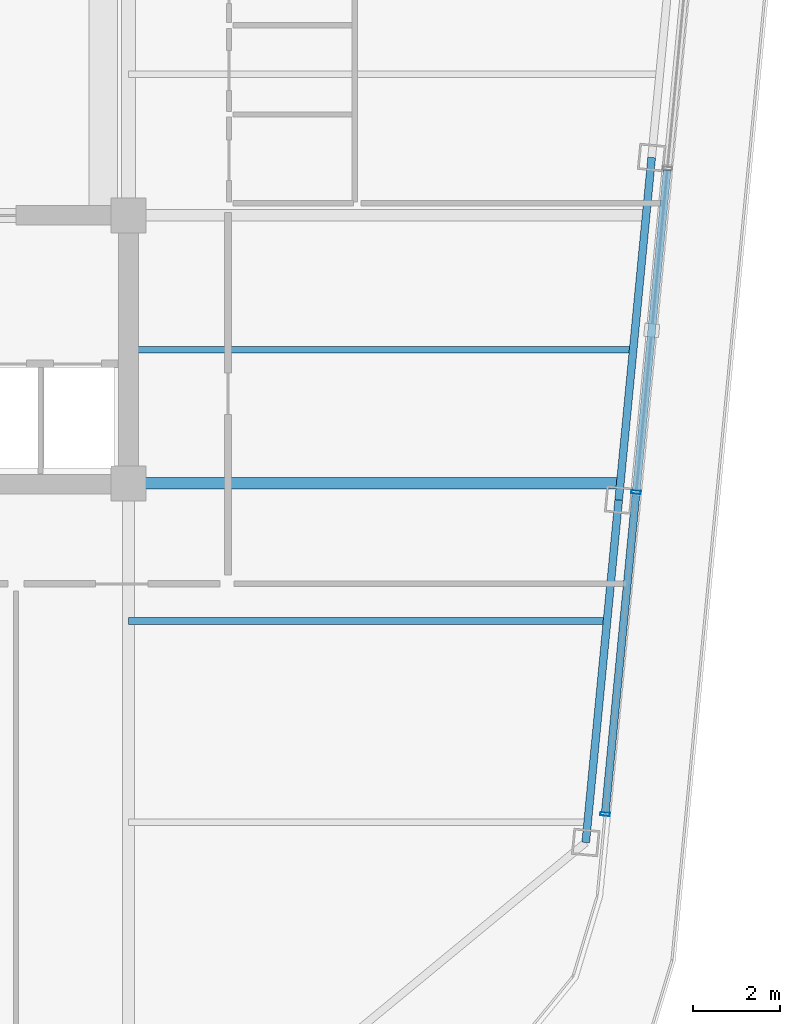
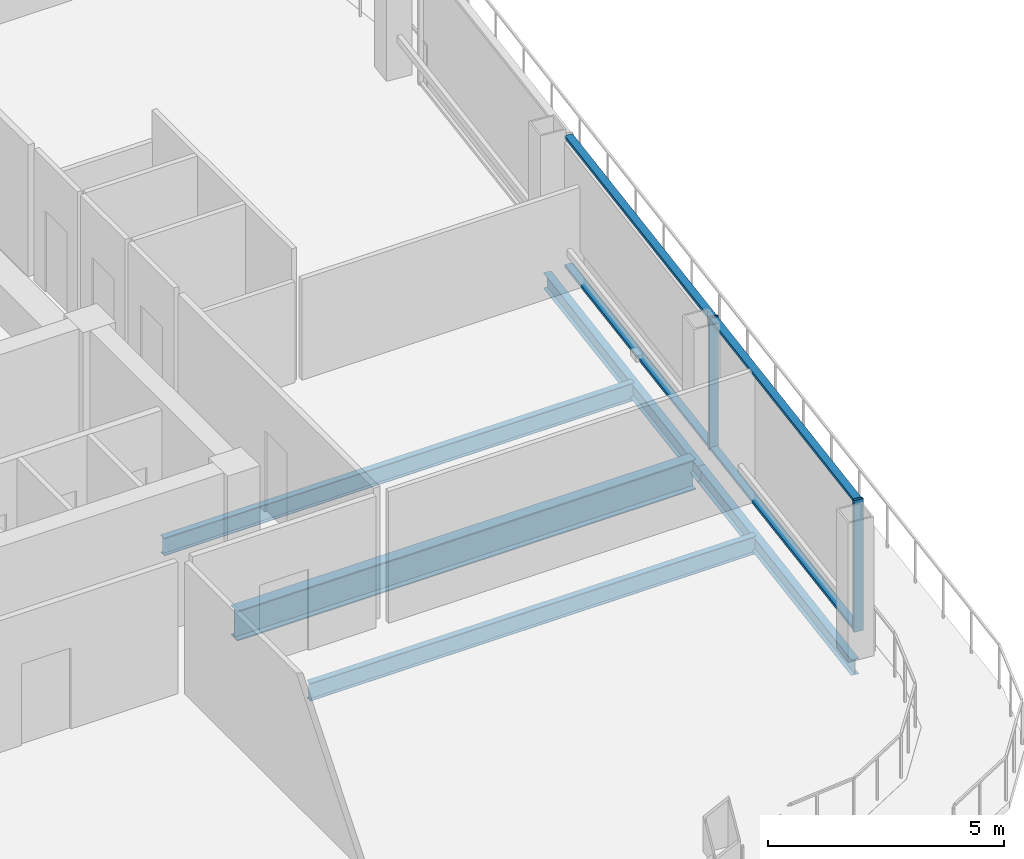
# One storey, part 8 of 23: 6 members, 5 beams, 1 element without a shape of its own.
"""IFC4 building model written with IfcOpenShell, lengths in metres."""

from ifc_helpers import new_model, si_unit, direction, frame, origin, origin_2d, place, context, subcontext, project, spatial, hollow_rectangle, i_section, extrude, material, layer, layer_set, material_profile, profile_set, type_object, element, aggregate, save


model = new_model("IFC4")

# Units and contexts
model_context = context("Model", 3, precision=1e-05, world=origin(), true_north=direction((0.0, 1.0)))
body_context = subcontext(model_context, "Body", "Model", "MODEL_VIEW")
ifc_project = project(units=[si_unit("LENGTHUNIT", "METRE"), si_unit("AREAUNIT", "SQUARE_METRE"), si_unit("VOLUMEUNIT", "CUBIC_METRE"), si_unit("PLANEANGLEUNIT", "RADIAN"), si_unit("MASSUNIT", "GRAM", prefix="KILO")], contexts=[model_context])

# Site, building, storey
site_placement = place(None, origin())
site = spatial("IfcSite", under=ifc_project, at=site_placement, CompositionType="ELEMENT")
building_placement = place(site_placement, origin())
building = spatial("IfcBuilding", under=site, at=building_placement, Name="Qhalaya Broadcast Tower", CompositionType="ELEMENT")
storey_placement = place(building_placement, frame((0.0, 0.0, 276.949951171875)))
storey = spatial("IfcBuildingStorey", under=building, at=storey_placement, Name="L82", CompositionType="ELEMENT", Elevation=276.949951171875)

# Beams
ifc_material_1 = material(Name="Structural Steel ASTM A992 Grade 50", Category="steel")
ifc_material_profile_1 = material_profile(ifc_material_1, i_section(OverallWidth=0.154052734375, OverallDepth=0.458984375, WebThickness=0.009033203125, FlangeThickness=0.015380859375, at=origin_2d()), Name="W18X46")
ifc_profile_set_1 = profile_set([ifc_material_profile_1], Name="Structural Steel ASTM A992 Grade 50")
beam_type_1 = type_object("IfcBeamType", Name="Composite Floor Joist J04", PredefinedType="JOIST", material=ifc_profile_set_1)
beam_1_placement = place(storey_placement, frame((9.375, -11.89990234375, -0.41943359375), z_axis=(1.0, 0.0, 0.0), x_axis=(0.0, 1.0, 0.0)))
element("IfcBeam", 1, at=beam_1_placement, inside=storey, type_object=beam_type_1, Name="L82 J04 L82-JWE2E-1", PredefinedType="JOIST", context=body_context, shape_type="SweptSolid", body=[
    extrude(i_section(OverallWidth=0.154052734375, OverallDepth=0.458984375, WebThickness=0.009033203125, FlangeThickness=0.015380859375, at=origin_2d()), origin(), (0.0, 0.0, 1.0), 10.9208984375),
])
beam_2_placement = place(storey_placement, frame((9.375, -5.699951171875, -0.41943359375), z_axis=(1.0, 0.0, 0.0), x_axis=(0.0, 1.0, 0.0)))
element("IfcBeam", 2, at=beam_2_placement, inside=storey, type_object=beam_type_1, Name="L82 J04 L82-JWE3E-1", PredefinedType="JOIST", context=body_context, shape_type="SweptSolid", body=[
    extrude(i_section(OverallWidth=0.154052734375, OverallDepth=0.458984375, WebThickness=0.009033203125, FlangeThickness=0.015380859375, at=origin_2d()), origin(), (0.0, 0.0, 1.0), 11.517822265625),
])
ifc_material_profile_2 = material_profile(ifc_material_1, i_section(OverallWidth=0.26708984375, OverallDepth=0.780029296875, WebThickness=0.0166015625, FlangeThickness=0.030029296875, at=origin_2d()), Name="W30X148")
ifc_profile_set_2 = profile_set([ifc_material_profile_2], Name="Structural Steel ASTM A992 Grade 50")
beam_type_2 = type_object("IfcBeamType", Name="Neck & Crown Primary Girder PG5", PredefinedType="USERDEFINED", material=ifc_profile_set_2)
beam_3_placement = place(storey_placement, frame((9.375, -8.75, -0.579833984375), z_axis=(1.0, 0.0, 0.0), x_axis=(0.0, 1.0, 0.0)))
element("IfcBeam", 3, at=beam_3_placement, inside=storey, type_object=beam_type_2, Name="L82 PG5 L82-PGYE1-1", ObjectType="GIRDER", PredefinedType="USERDEFINED", context=body_context, shape_type="SweptSolid", body=[
    extrude(i_section(OverallWidth=0.26708984375, OverallDepth=0.780029296875, WebThickness=0.0166015625, FlangeThickness=0.030029296875, at=origin_2d()), origin(), (0.0, 0.0, 1.0), 11.22412109375),
])

# Curtain wall, members
ifc_material_2 = material(Name="Solar-Control Low-E Triple Glazing", Category="glass")
ifc_layer = layer(ifc_material_2, 0.219970703125, Name="Solar-Control Low-E Triple Glazing")
ifc_layer_set = layer_set([ifc_layer], Name="Solar-Control Low-E Triple Glazing")
curtain_wall_type = type_object("IfcCurtainWallType", Name="Crown Garden & Observation Windscreen Curtain Wall CW-06", PredefinedType="NOTDEFINED", material=ifc_layer_set)
curtain_wall_placement = place(storey_placement, origin())
curtain_wall = element("IfcCurtainWall", 4, at=curtain_wall_placement, inside=storey, type_object=curtain_wall_type, Name="L82 Unitised Curtain Wall L82-CW-E", PredefinedType="NOTDEFINED")
ifc_material_3 = material(Name="Anodised Aluminium 6063-T6", Category="aluminium")
ifc_material_profile_3 = material_profile(ifc_material_3, hollow_rectangle(XDim=0.074951171875, YDim=0.219970703125, WallThickness=0.00390625, at=origin_2d()), Name="ALU-MUL 75x220x4")
ifc_profile_set_3 = profile_set([ifc_material_profile_3], Name="Anodised Aluminium 6063-T6")
member_type_1 = type_object("IfcMemberType", Name="Unitised Curtain-Wall Mullion M01", PredefinedType="MULLION", material=ifc_profile_set_3)
member_1_placement = place(storey_placement, frame((20.272705078125, -16.315185546875, 0.0), z_axis=(0.0, 0.0, 1.0), x_axis=(0.095847667974, 0.995396013928, 0.0)))
member_1 = element("IfcMember", 5, at=member_1_placement, type_object=member_type_1, Name="CW-06 mullion 1", PredefinedType="MULLION", context=body_context, shape_type="SweptSolid", body=[
    extrude(hollow_rectangle(XDim=0.074951171875, YDim=0.219970703125, WallThickness=0.00390625, at=origin_2d()), origin(), (0.0, 0.0, 1.0), 3.41015625),
])
member_2_placement = place(storey_placement, frame((20.9814453125, -8.953369140625, 0.0), z_axis=(0.0, 0.0, 1.0), x_axis=(0.095847667974, 0.995396013928, 0.0)))
member_2 = element("IfcMember", 6, at=member_2_placement, type_object=member_type_1, Name="CW-06 mullion 2", PredefinedType="MULLION", context=body_context, shape_type="SweptSolid", body=[
    extrude(hollow_rectangle(XDim=0.074951171875, YDim=0.219970703125, WallThickness=0.00390625, at=origin_2d()), origin(), (0.0, 0.0, 1.0), 3.41015625),
])
ifc_material_profile_4 = material_profile(ifc_material_3, hollow_rectangle(XDim=0.074951171875, YDim=0.179931640625, WallThickness=0.00390625, at=origin_2d()), Name="ALU-TRN 75x180x4")
ifc_profile_set_4 = profile_set([ifc_material_profile_4], Name="Anodised Aluminium 6063-T6")
member_type_2 = type_object("IfcMemberType", Name="Unitised Curtain-Wall Transom T01", PredefinedType="USERDEFINED", material=ifc_profile_set_4)
member_3_placement = place(storey_placement, frame((20.276123046875, -16.27783203125, 0.03759765625), z_axis=(0.095844579162, 0.995396311348, 0.0), x_axis=(0.0, 0.0, 1.0)))
member_3 = element("IfcMember", 7, at=member_3_placement, type_object=member_type_2, Name="CW-06 transom 1.1", ObjectType="TRANSOM", PredefinedType="USERDEFINED", context=body_context, shape_type="SweptSolid", body=[
    extrude(hollow_rectangle(XDim=0.074951171875, YDim=0.179931640625, WallThickness=0.00390625, at=origin_2d()), origin(), (0.0, 0.0, 1.0), 7.32080078125),
])
member_4_placement = place(storey_placement, frame((20.276123046875, -16.27783203125, 3.37255859375), z_axis=(0.095844579162, 0.995396311348, 0.0), x_axis=(0.0, 0.0, 1.0)))
member_4 = element("IfcMember", 8, at=member_4_placement, type_object=member_type_2, Name="CW-06 transom 1.2", ObjectType="TRANSOM", PredefinedType="USERDEFINED", context=body_context, shape_type="SweptSolid", body=[
    extrude(hollow_rectangle(XDim=0.074951171875, YDim=0.179931640625, WallThickness=0.00390625, at=origin_2d()), origin(), (0.0, 0.0, 1.0), 7.32080078125),
])
member_5_placement = place(storey_placement, frame((20.985107421875, -8.916015625, 0.03759765625), z_axis=(0.095853387986, 0.995395463126, 0.0), x_axis=(0.0, 0.0, 1.0)))
member_5 = element("IfcMember", 9, at=member_5_placement, type_object=member_type_2, Name="CW-06 transom 2.1", ObjectType="TRANSOM", PredefinedType="USERDEFINED", context=body_context, shape_type="SweptSolid", body=[
    extrude(hollow_rectangle(XDim=0.074951171875, YDim=0.179931640625, WallThickness=0.00390625, at=origin_2d()), origin(), (0.0, 0.0, 1.0), 7.3583984375),
])
member_6_placement = place(storey_placement, frame((20.985107421875, -8.916015625, 3.37255859375), z_axis=(0.095853387986, 0.995395463126, 0.0), x_axis=(0.0, 0.0, 1.0)))
member_6 = element("IfcMember", 10, at=member_6_placement, type_object=member_type_2, Name="CW-06 transom 2.2", ObjectType="TRANSOM", PredefinedType="USERDEFINED", context=body_context, shape_type="SweptSolid", body=[
    extrude(hollow_rectangle(XDim=0.074951171875, YDim=0.179931640625, WallThickness=0.00390625, at=origin_2d()), origin(), (0.0, 0.0, 1.0), 7.3583984375),
])
aggregate(curtain_wall, [member_1, member_2, member_3, member_4, member_5, member_6])

# Beams
ifc_material_profile_5 = material_profile(ifc_material_1, i_section(OverallWidth=0.177978515625, OverallDepth=0.406005859375, WebThickness=0.0078125, FlangeThickness=0.0126953125, at=origin_2d()), Name="W16X40")
ifc_profile_set_5 = profile_set([ifc_material_profile_5], Name="Structural Steel ASTM A992 Grade 50")
beam_type_3 = type_object("IfcBeamType", Name="Upper Perimeter Spandrel Beam SP2", PredefinedType="SPANDREL", material=ifc_profile_set_5)
beam_4_placement = place(storey_placement, frame((19.82861328125, -16.962890625, -0.39306640625), z_axis=(0.095837184179, 0.995397023367, 0.0), x_axis=(-0.995397023367, 0.095837184179, 0.0)))
element("IfcBeam", 11, at=beam_4_placement, inside=storey, type_object=beam_type_3, Name="L82 SP2 L82-SPR-05", PredefinedType="SPANDREL", context=body_context, shape_type="SweptSolid", body=[
    extrude(i_section(OverallWidth=0.177978515625, OverallDepth=0.406005859375, WebThickness=0.0078125, FlangeThickness=0.0126953125, at=origin_2d()), origin(), (0.0, 0.0, 1.0), 7.866455078125),
])
beam_5_placement = place(storey_placement, frame((20.58251953125, -9.132568359375, -0.39306640625), z_axis=(0.095834223619, 0.995397308407, 0.0), x_axis=(-0.995397308407, 0.095834223619, 0.0)))
element("IfcBeam", 12, at=beam_5_placement, inside=storey, type_object=beam_type_3, Name="L82 SP2 L82-SPR-06", PredefinedType="SPANDREL", context=body_context, shape_type="SweptSolid", body=[
    extrude(i_section(OverallWidth=0.177978515625, OverallDepth=0.406005859375, WebThickness=0.0078125, FlangeThickness=0.0126953125, at=origin_2d()), origin(), (0.0, 0.0, 1.0), 7.86669921875),
])

save(model, "model.ifc")
